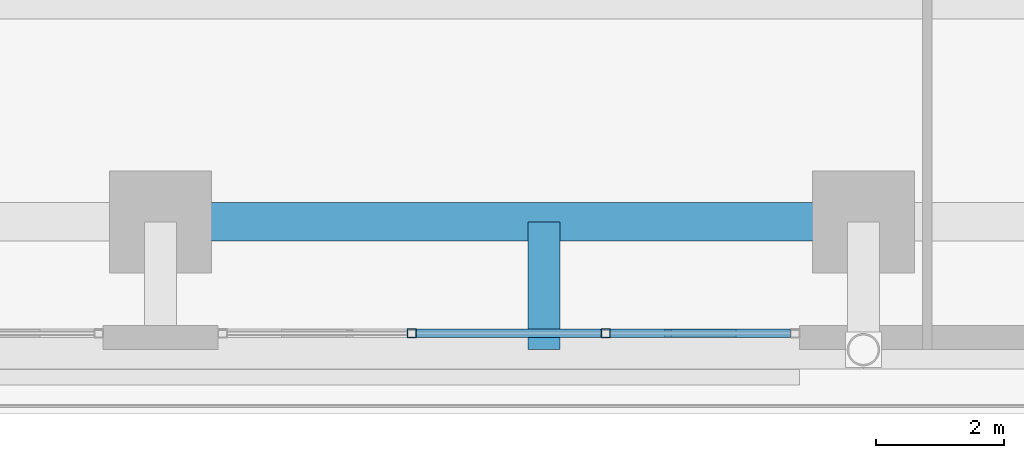
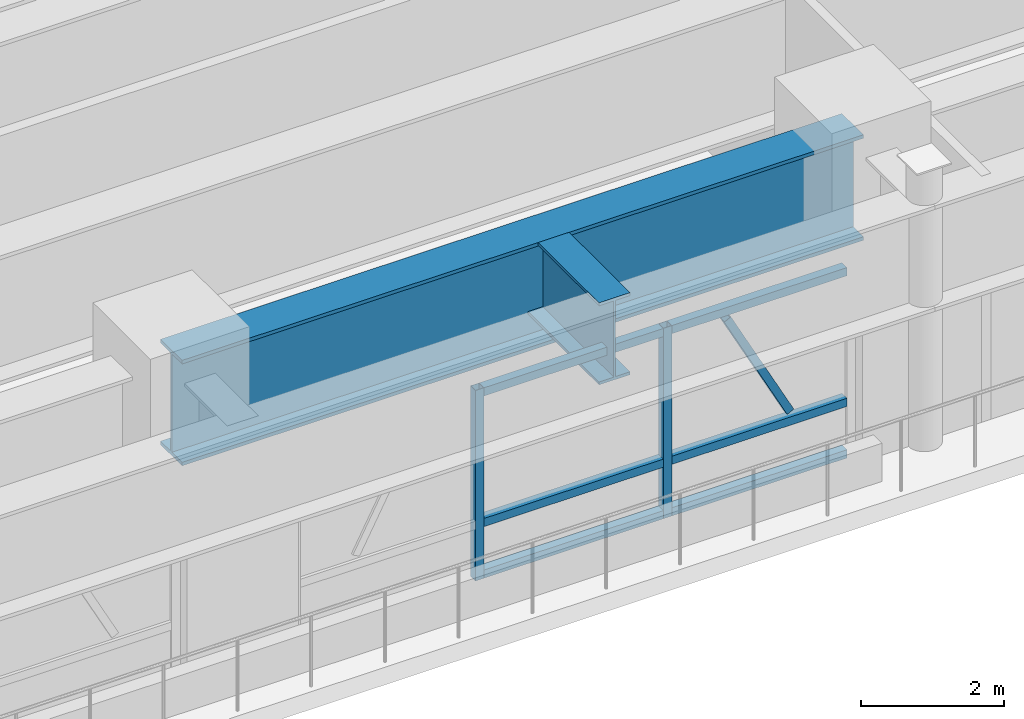
# One storey, part 13 of 35: 9 members, 2 beams, 1 element without a shape of its own.
"""IFC4 building model written with IfcOpenShell, lengths in metres."""

from ifc_helpers import new_model, si_unit, direction, frame, origin, origin_2d, place, context, subcontext, project, spatial, hollow_rectangle, i_section, extrude, source, transform, mapped, material, material_profile, profile_set, type_object, element, aggregate, save


model = new_model("IFC4")

# Units and contexts
model_context = context("Model", 3, precision=1e-05, world=origin(), true_north=direction((0.0, 1.0)))
body_context = subcontext(model_context, "Body", "Model", "MODEL_VIEW")
ifc_project = project(units=[si_unit("LENGTHUNIT", "METRE"), si_unit("AREAUNIT", "SQUARE_METRE"), si_unit("VOLUMEUNIT", "CUBIC_METRE"), si_unit("PLANEANGLEUNIT", "RADIAN"), si_unit("MASSUNIT", "GRAM", prefix="KILO")], contexts=[model_context])

# Site, building, storey
site_placement = place(None, origin())
site = spatial("IfcSite", under=ifc_project, at=site_placement, CompositionType="ELEMENT")
building_placement = place(site_placement, origin())
building = spatial("IfcBuilding", under=site, at=building_placement, Name="Khorayat Bourse Tower", CompositionType="ELEMENT")
storey_placement = place(building_placement, frame((0.0, 0.0, 22.199951171875)))
storey = spatial("IfcBuildingStorey", under=building, at=storey_placement, Name="L04", CompositionType="ELEMENT", Elevation=22.199951171875)

# Beams
ifc_material_1 = material(Name="Steel EN 10025-4 S460M", Category="steel")
ifc_material_profile_1 = material_profile(ifc_material_1, i_section(OverallWidth=0.60009765625, OverallDepth=1.800048828125, WebThickness=0.031982421875, FlangeThickness=0.06005859375, at=origin_2d()), Name="PG 1800x600x32x60")
ifc_profile_set_1 = profile_set([ifc_material_profile_1], Name="Steel EN 10025-4 S460M")
beam_type_1 = type_object("IfcBeamType", Name="BM-TR-1800", PredefinedType="BEAM", material=ifc_profile_set_1)
shared_shape_1 = source(origin(), body_context, "Body", "SweptSolid", [
    extrude(i_section(OverallWidth=0.60009765625, OverallDepth=1.800048828125, WebThickness=0.031982421875, FlangeThickness=0.06005859375, at=origin_2d()), origin(), (0.0, 0.0, 1.0), 11.0),
])
beam_1_placement = place(storey_placement, frame((0.0, -32.0, 3.300048828125), z_axis=(1.0, 0.0, 0.0), x_axis=(0.0, 1.0, 0.0)))
element("IfcBeam", 1, at=beam_1_placement, inside=storey, type_object=beam_type_1, Name="L04 BM-TR-1800 BM-L04-PGX-035", PredefinedType="BEAM", context=body_context, shape_type="MappedRepresentation", body=[
    mapped(shared_shape_1, transform((0.0, 0.0, 0.0), scale=1.0)),
])
ifc_material_profile_2 = material_profile(ifc_material_1, i_section(OverallWidth=0.5, OverallDepth=1.39990234375, WebThickness=0.02490234375, FlangeThickness=0.050048828125, at=origin_2d()), Name="PG 1400x500x25x50")
ifc_profile_set_2 = profile_set([ifc_material_profile_2], Name="Steel EN 10025-4 S460M")
beam_type_2 = type_object("IfcBeamType", Name="BM-TR-1400", PredefinedType="BEAM", material=ifc_profile_set_2)
shared_shape_2 = source(origin(), body_context, "Body", "SweptSolid", [
    extrude(i_section(OverallWidth=0.5, OverallDepth=1.39990234375, WebThickness=0.02490234375, FlangeThickness=0.050048828125, at=origin_2d()), origin(), (0.0, 0.0, 1.0), 2.0),
])
beam_2_placement = place(storey_placement, frame((6.0, -34.0, 3.5), z_axis=(0.0, 1.0, 0.0), x_axis=(-1.0, 0.0, 0.0)))
element("IfcBeam", 2, at=beam_2_placement, inside=storey, type_object=beam_type_2, Name="L04 BM-TR-1400 BM-L04-PGY-131", PredefinedType="BEAM", context=body_context, shape_type="MappedRepresentation", body=[
    mapped(shared_shape_2, transform((0.0, 0.0, 0.0), scale=1.0)),
])

# Curtain wall, members
ifc_material_2 = material(Name="Aluminium EN AW-6063 T6", Category="aluminium")
curtain_wall_type = type_object("IfcCurtainWallType", Name="CW-SYS-01", PredefinedType="NOTDEFINED", material=ifc_material_2)
curtain_wall_placement = place(storey_placement, origin())
curtain_wall = element("IfcCurtainWall", 3, at=curtain_wall_placement, inside=storey, type_object=curtain_wall_type, Name="L04 Curtain Wall CW-L04-SE", PredefinedType="NOTDEFINED")
ifc_material_profile_3 = material_profile(ifc_material_2, hollow_rectangle(XDim=0.139892578125, YDim=0.139892578125, WallThickness=0.006103515625, at=origin_2d()), Name="ALU 140x140x6")
ifc_profile_set_3 = profile_set([ifc_material_profile_3], Name="Aluminium EN AW-6063 T6")
member_type_1 = type_object("IfcMemberType", Name="CWT-HORZ-140", PredefinedType="USERDEFINED", material=ifc_profile_set_3)
shared_shape_3 = source(origin(), body_context, "Body", "SweptSolid", [
    extrude(hollow_rectangle(XDim=0.139892578125, YDim=0.139892578125, WallThickness=0.006103515625, at=origin_2d()), origin(), (0.0, 0.0, 1.0), 2.823486328125),
])
member_1_placement = place(storey_placement, frame((7.03662109375, -33.742919921875, 0.070068359375), z_axis=(1.0, 0.0, 0.0), x_axis=(0.0, 1.0, 0.0)))
member_1 = element("IfcMember", 4, at=member_1_placement, type_object=member_type_1, Name="CW-L04-SE Horizontal Transom 3-1", ObjectType="TRANSOM", PredefinedType="USERDEFINED", context=body_context, shape_type="MappedRepresentation", body=[
    mapped(shared_shape_3, transform((0.0, 0.0, 0.0), scale=1.0)),
])
member_2_placement = place(storey_placement, frame((7.03662109375, -33.742919921875, 0.949951171875), z_axis=(1.0, 0.0, 0.0), x_axis=(0.0, 1.0, 0.0)))
member_2 = element("IfcMember", 5, at=member_2_placement, type_object=member_type_1, Name="CW-L04-SE Horizontal Transom 3-2", ObjectType="TRANSOM", PredefinedType="USERDEFINED", context=body_context, shape_type="MappedRepresentation", body=[
    mapped(shared_shape_3, transform((0.0, 0.0, 0.0), scale=1.0)),
])
member_3_placement = place(storey_placement, frame((7.03662109375, -33.742919921875, 3.179931640625), z_axis=(1.0, 0.0, 0.0), x_axis=(0.0, 1.0, 0.0)))
member_3 = element("IfcMember", 6, at=member_3_placement, type_object=member_type_1, Name="CW-L04-SE Horizontal Transom 3-3", ObjectType="TRANSOM", PredefinedType="USERDEFINED", context=body_context, shape_type="MappedRepresentation", body=[
    mapped(shared_shape_3, transform((0.0, 0.0, 0.0), scale=1.0)),
])
shared_shape_4 = source(origin(), body_context, "Body", "SweptSolid", [
    extrude(hollow_rectangle(XDim=0.139892578125, YDim=0.139892578125, WallThickness=0.006103515625, at=origin_2d()), origin(), (0.0, 0.0, 1.0), 2.893310546875),
])
member_4_placement = place(storey_placement, frame((4.00341796875, -33.742919921875, 0.070068359375), z_axis=(1.0, 0.0, 0.0), x_axis=(0.0, 1.0, 0.0)))
member_4 = element("IfcMember", 7, at=member_4_placement, type_object=member_type_1, Name="CW-L04-SE Horizontal Transom 2-1", ObjectType="TRANSOM", PredefinedType="USERDEFINED", context=body_context, shape_type="MappedRepresentation", body=[
    mapped(shared_shape_4, transform((0.0, 0.0, 0.0), scale=1.0)),
])
member_5_placement = place(storey_placement, frame((4.00341796875, -33.742919921875, 0.949951171875), z_axis=(1.0, 0.0, 0.0), x_axis=(0.0, 1.0, 0.0)))
member_5 = element("IfcMember", 8, at=member_5_placement, type_object=member_type_1, Name="CW-L04-SE Horizontal Transom 2-2", ObjectType="TRANSOM", PredefinedType="USERDEFINED", context=body_context, shape_type="MappedRepresentation", body=[
    mapped(shared_shape_4, transform((0.0, 0.0, 0.0), scale=1.0)),
])
member_6_placement = place(storey_placement, frame((4.00341796875, -33.742919921875, 3.179931640625), z_axis=(1.0, 0.0, 0.0), x_axis=(0.0, 1.0, 0.0)))
member_6 = element("IfcMember", 9, at=member_6_placement, type_object=member_type_1, Name="CW-L04-SE Horizontal Transom 2-3", ObjectType="TRANSOM", PredefinedType="USERDEFINED", context=body_context, shape_type="MappedRepresentation", body=[
    mapped(shared_shape_4, transform((0.0, 0.0, 0.0), scale=1.0)),
])
ifc_material_profile_4 = material_profile(ifc_material_2, hollow_rectangle(XDim=0.139892578125, YDim=0.139892578125, WallThickness=0.006103515625, at=origin_2d()), Name="ALU 140x140x6")
ifc_profile_set_4 = profile_set([ifc_material_profile_4], Name="Aluminium EN AW-6063 T6")
member_type_2 = type_object("IfcMemberType", Name="CWM-VERT-140", PredefinedType="MULLION", material=ifc_profile_set_4)
shared_shape_5 = source(origin(), body_context, "Body", "SweptSolid", [
    extrude(hollow_rectangle(XDim=0.139892578125, YDim=0.139892578125, WallThickness=0.006103515625, at=origin_2d()), origin(), (0.0, 0.0, 1.0), 3.25),
])
member_7_placement = place(storey_placement, frame((3.933349609375, -33.742919921875, 0.0), z_axis=(0.0, 0.0, 1.0), x_axis=(0.0, 1.0, 0.0)))
member_7 = element("IfcMember", 10, at=member_7_placement, type_object=member_type_2, Name="CW-L04-SE Vertical Mullion 2", PredefinedType="MULLION", context=body_context, shape_type="MappedRepresentation", body=[
    mapped(shared_shape_5, transform((0.0, 0.0, 0.0), scale=1.0)),
])
member_8_placement = place(storey_placement, frame((6.966552734375, -33.742919921875, 0.0), z_axis=(0.0, 0.0, 1.0), x_axis=(0.0, 1.0, 0.0)))
member_8 = element("IfcMember", 11, at=member_8_placement, type_object=member_type_2, Name="CW-L04-SE Vertical Mullion 3", PredefinedType="MULLION", context=body_context, shape_type="MappedRepresentation", body=[
    mapped(shared_shape_5, transform((0.0, 0.0, 0.0), scale=1.0)),
])
ifc_material_profile_5 = material_profile(ifc_material_2, hollow_rectangle(XDim=0.1201171875, YDim=0.1201171875, WallThickness=0.0048828125, at=origin_2d()), Name="ALU 120x120x5")
ifc_profile_set_5 = profile_set([ifc_material_profile_5], Name="Aluminium EN AW-6063 T6")
member_type_3 = type_object("IfcMemberType", Name="CWM-DIAG-120", PredefinedType="MULLION", material=ifc_profile_set_5)
shared_shape_6 = source(origin(), body_context, "Body", "SweptSolid", [
    extrude(hollow_rectangle(XDim=0.1201171875, YDim=0.1201171875, WallThickness=0.0048828125, at=origin_2d()), origin(), (0.0, 0.0, 1.0), 2.180908203125),
])
member_9_placement = place(storey_placement, frame((8.956298828125, -33.742919921875, 1.10009765625), z_axis=(-0.465787955033, 0.0, 0.884896367348), x_axis=(0.0, -1.0, 0.0)))
member_9 = element("IfcMember", 12, at=member_9_placement, type_object=member_type_3, Name="CW-L04-SE Faceted Diagonal Mullion 3", PredefinedType="MULLION", context=body_context, shape_type="MappedRepresentation", body=[
    mapped(shared_shape_6, transform((0.0, 0.0, 0.0), scale=1.0)),
])
aggregate(curtain_wall, [member_7, member_8, member_4, member_5, member_6, member_1, member_2, member_3, member_9])

save(model, "model.ifc")
